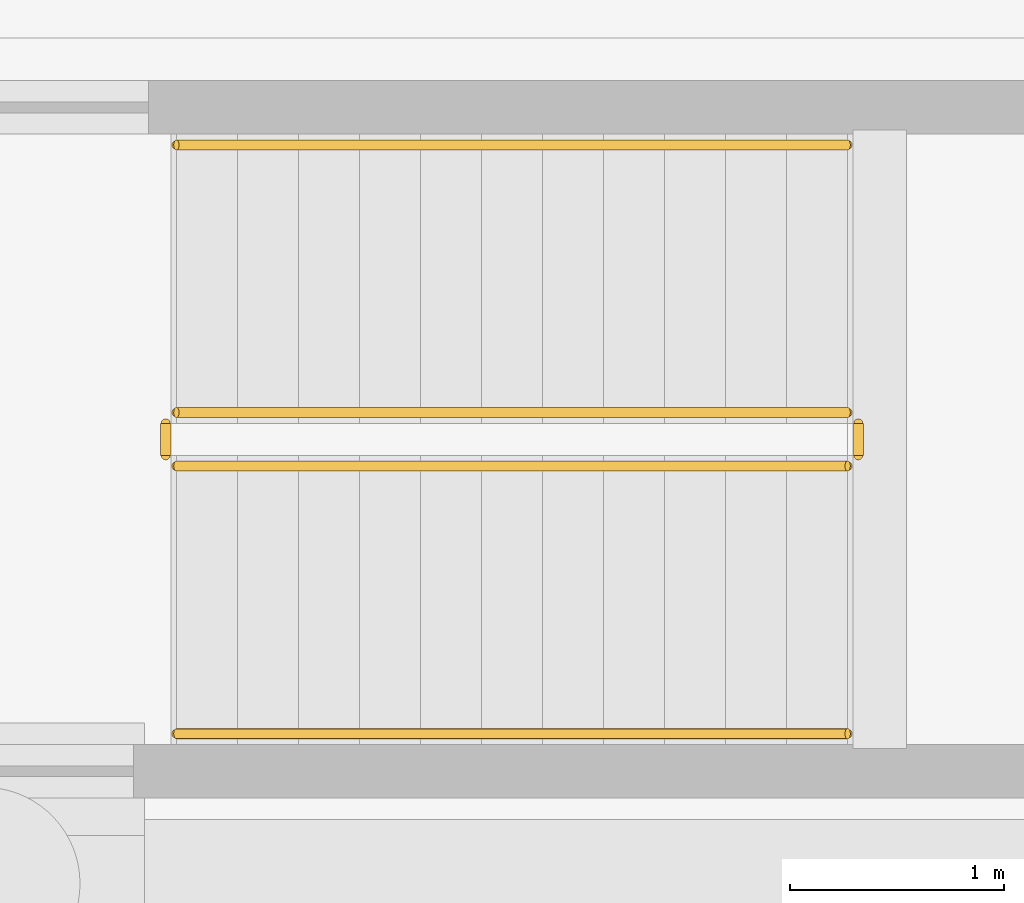
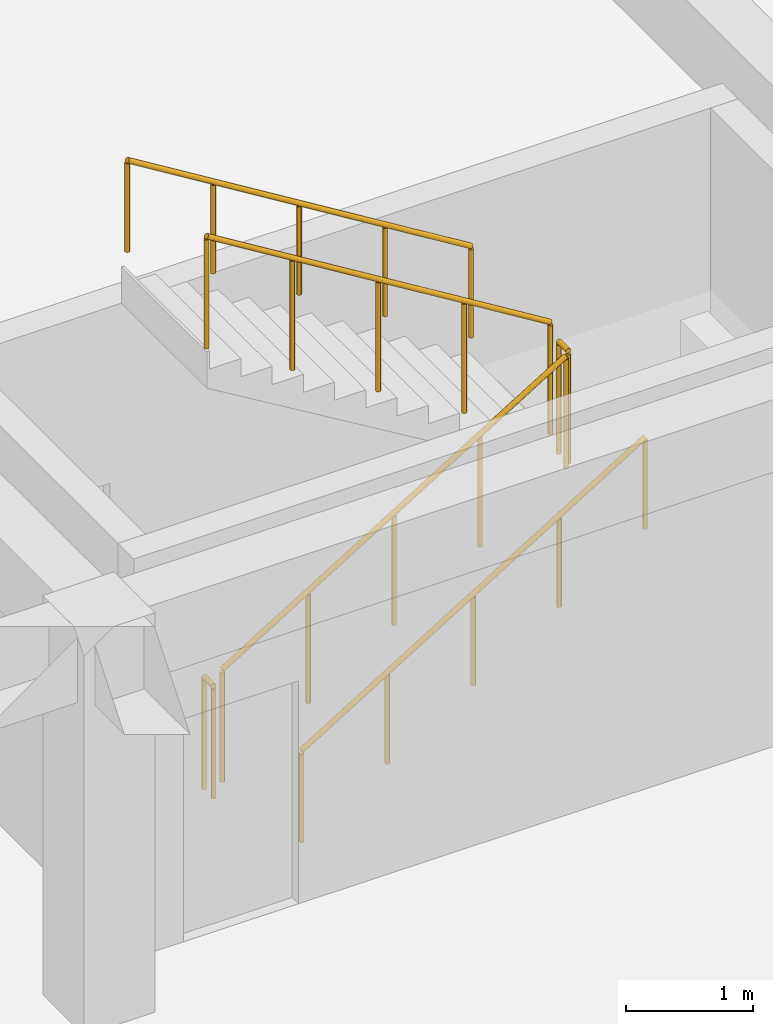
# One storey, part 8 of 10: 6 railings.
"""IFC4 building model written with IfcOpenShell, lengths in metres."""

from ifc_helpers import new_model, si_unit, direction, frame, origin, origin_2d, place, context, subcontext, project, spatial, circle, extrude, material, type_object, element, save


model = new_model("IFC4")

# Units and contexts
model_context = context("Model", 3, precision=1e-05, world=origin(), true_north=direction((0.0, 1.0)))
body_context = subcontext(model_context, "Body", "Model", "MODEL_VIEW")
ifc_project = project(units=[si_unit("LENGTHUNIT", "METRE"), si_unit("AREAUNIT", "SQUARE_METRE"), si_unit("VOLUMEUNIT", "CUBIC_METRE"), si_unit("PLANEANGLEUNIT", "RADIAN"), si_unit("MASSUNIT", "GRAM", prefix="KILO")], contexts=[model_context])

# Site, building, storey
site_placement = place(None, origin())
site = spatial("IfcSite", under=ifc_project, at=site_placement, CompositionType="ELEMENT")
building_placement = place(site_placement, origin())
building = spatial("IfcBuilding", under=site, at=building_placement, Name="Kestramere Prow Commons", CompositionType="ELEMENT")
storey_placement = place(building_placement, frame((0.0, 0.0, -4.199951171875)))
storey = spatial("IfcBuildingStorey", under=building, at=storey_placement, Name="B1", CompositionType="ELEMENT", Elevation=-4.199951171875)

# Railings
ifc_material_1 = material(Name="Galvanised Steel S275JR", Category="steel")
railing_type_1 = type_object("IfcRailingType", Name="RL-ST-GR-1100", PredefinedType="GUARDRAIL", material=ifc_material_1)
railing_1_placement = place(storey_placement, frame((105.85009765625, 13.949951171875, 0.175048828125)))
element("IfcRailing", 1, at=railing_1_placement, inside=storey, type_object=railing_type_1, Name="B1 ST-M2 stair guard 1", PredefinedType="GUARDRAIL", context=body_context, shape_type="SweptSolid", body=[
    extrude(circle(Radius=0.02392578125, at=origin_2d()), frame((0.0, 0.0, 1.076171875), z_axis=(0.852195625947, 0.0, 0.523223293744), x_axis=(0.0, 1.0, 0.0)), (0.0, 0.0, 1.0), 3.6787109375),
    extrude(circle(Radius=0.02099609375, at=origin_2d()), origin(), (0.0, 0.0, 1.0), 1.052001953125),
    extrude(circle(Radius=0.02099609375, at=origin_2d()), frame((0.78369140625, 0.0, 0.481201171875)), (0.0, 0.0, 1.0), 1.052001953125),
    extrude(circle(Radius=0.02099609375, at=origin_2d()), frame((1.5673828125, 0.0, 0.96240234375)), (0.0, 0.0, 1.0), 1.052001953125),
    extrude(circle(Radius=0.02099609375, at=origin_2d()), frame((2.351318359375, 0.0, 1.443603515625)), (0.0, 0.0, 1.0), 1.052001953125),
    extrude(circle(Radius=0.02099609375, at=origin_2d()), frame((3.135009765625, 0.0, 1.9248046875)), (0.0, 0.0, 1.0), 1.052001953125),
])
railing_2_placement = place(storey_placement, frame((109.034912109375, 14.0, 2.099853515625)))
element("IfcRailing", 2, at=railing_2_placement, inside=storey, type_object=railing_type_1, Name="B1 ST-M2 stair guard 2", PredefinedType="GUARDRAIL", context=body_context, shape_type="SweptSolid", body=[
    extrude(circle(Radius=0.02392578125, at=origin_2d()), frame((0.0, 0.0, 1.076171875), z_axis=(0.0, 1.0, 0.0), x_axis=(-1.0, 0.0, 0.0)), (0.0, 0.0, 1.0), 0.14990234375),
    extrude(circle(Radius=0.02099609375, at=origin_2d()), origin(), (0.0, 0.0, 1.0), 1.052001953125),
    extrude(circle(Radius=0.02099609375, at=origin_2d()), frame((0.0, 0.14990234375, 0.0)), (0.0, 0.0, 1.0), 1.052001953125),
])
railing_3_placement = place(storey_placement, frame((108.985107421875, 14.199951171875, 2.27490234375)))
element("IfcRailing", 3, at=railing_3_placement, inside=storey, type_object=railing_type_1, Name="B1 ST-M2 stair guard 3", PredefinedType="GUARDRAIL", context=body_context, shape_type="SweptSolid", body=[
    extrude(circle(Radius=0.02392578125, at=origin_2d()), frame((0.0, 0.0, 1.076171875), z_axis=(-0.852166034122, 0.0, 0.523271488128), x_axis=(0.0, -1.0, 0.0)), (0.0, 0.0, 1.0), 3.678955078125),
    extrude(circle(Radius=0.02099609375, at=origin_2d()), origin(), (0.0, 0.0, 1.0), 1.052001953125),
    extrude(circle(Radius=0.02099609375, at=origin_2d()), frame((-0.78369140625, 0.0, 0.481201171875)), (0.0, 0.0, 1.0), 1.052001953125),
    extrude(circle(Radius=0.02099609375, at=origin_2d()), frame((-1.5673828125, 0.0, 0.96240234375)), (0.0, 0.0, 1.0), 1.052001953125),
    extrude(circle(Radius=0.02099609375, at=origin_2d()), frame((-2.351318359375, 0.0, 1.44384765625)), (0.0, 0.0, 1.0), 1.052001953125),
    extrude(circle(Radius=0.02099609375, at=origin_2d()), frame((-3.135009765625, 0.0, 1.925048828125)), (0.0, 0.0, 1.0), 1.052001953125),
])
railing_4_placement = place(storey_placement, frame((105.800048828125, 14.0, 0.0)))
element("IfcRailing", 4, at=railing_4_placement, inside=storey, type_object=railing_type_1, Name="B1 ST-M2 stair guard 4", PredefinedType="GUARDRAIL", context=body_context, shape_type="SweptSolid", body=[
    extrude(circle(Radius=0.02392578125, at=origin_2d()), frame((0.0, 0.0, 1.076171875), z_axis=(0.0, 1.0, 0.0), x_axis=(-1.0, 0.0, 0.0)), (0.0, 0.0, 1.0), 0.14990234375),
    extrude(circle(Radius=0.02099609375, at=origin_2d()), origin(), (0.0, 0.0, 1.0), 1.052001953125),
    extrude(circle(Radius=0.02099609375, at=origin_2d()), frame((0.0, 0.14990234375, 0.0)), (0.0, 0.0, 1.0), 1.052001953125),
])
ifc_material_2 = material(Name="Stainless Steel 304", Category="steel")
railing_type_2 = type_object("IfcRailingType", Name="RL-ST-HR-900", PredefinedType="HANDRAIL", material=ifc_material_2)
railing_5_placement = place(storey_placement, frame((105.85009765625, 12.699951171875, 0.349853515625)))
element("IfcRailing", 5, at=railing_5_placement, inside=storey, type_object=railing_type_2, Name="B1 ST-M2 stair handrail 1", PredefinedType="HANDRAIL", context=body_context, shape_type="SweptSolid", body=[
    extrude(circle(Radius=0.02392578125, at=origin_2d()), frame((0.0, 0.0, 0.8759765625), z_axis=(0.852166034122, 0.0, 0.523271488128), x_axis=(0.0, 1.0, 0.0)), (0.0, 0.0, 1.0), 3.678955078125),
    extrude(circle(Radius=0.02099609375, at=origin_2d()), origin(), (0.0, 0.0, 1.0), 0.851806640625),
    extrude(circle(Radius=0.02099609375, at=origin_2d()), frame((0.78369140625, 0.0, 0.481201171875)), (0.0, 0.0, 1.0), 0.851806640625),
    extrude(circle(Radius=0.02099609375, at=origin_2d()), frame((1.5673828125, 0.0, 0.96240234375)), (0.0, 0.0, 1.0), 0.851806640625),
    extrude(circle(Radius=0.02099609375, at=origin_2d()), frame((2.351318359375, 0.0, 1.44384765625)), (0.0, 0.0, 1.0), 0.851806640625),
    extrude(circle(Radius=0.02099609375, at=origin_2d()), frame((3.135009765625, 0.0, 1.925048828125)), (0.0, 0.0, 1.0), 0.851806640625),
])
railing_6_placement = place(storey_placement, frame((108.985107421875, 15.449951171875, 2.449951171875)))
element("IfcRailing", 6, at=railing_6_placement, inside=storey, type_object=railing_type_2, Name="B1 ST-M2 stair handrail 2", PredefinedType="HANDRAIL", context=body_context, shape_type="SweptSolid", body=[
    extrude(circle(Radius=0.02392578125, at=origin_2d()), frame((0.0, 0.0, 0.8759765625), z_axis=(-0.852166034122, 0.0, 0.523271488128), x_axis=(0.0, -1.0, 0.0)), (0.0, 0.0, 1.0), 3.678955078125),
    extrude(circle(Radius=0.02099609375, at=origin_2d()), origin(), (0.0, 0.0, 1.0), 0.851806640625),
    extrude(circle(Radius=0.02099609375, at=origin_2d()), frame((-0.78369140625, 0.0, 0.481201171875)), (0.0, 0.0, 1.0), 0.851806640625),
    extrude(circle(Radius=0.02099609375, at=origin_2d()), frame((-1.5673828125, 0.0, 0.96240234375)), (0.0, 0.0, 1.0), 0.851806640625),
    extrude(circle(Radius=0.02099609375, at=origin_2d()), frame((-2.351318359375, 0.0, 1.44384765625)), (0.0, 0.0, 1.0), 0.851806640625),
    extrude(circle(Radius=0.02099609375, at=origin_2d()), frame((-3.135009765625, 0.0, 1.925048828125)), (0.0, 0.0, 1.0), 0.851806640625),
])

save(model, "model.ifc")
